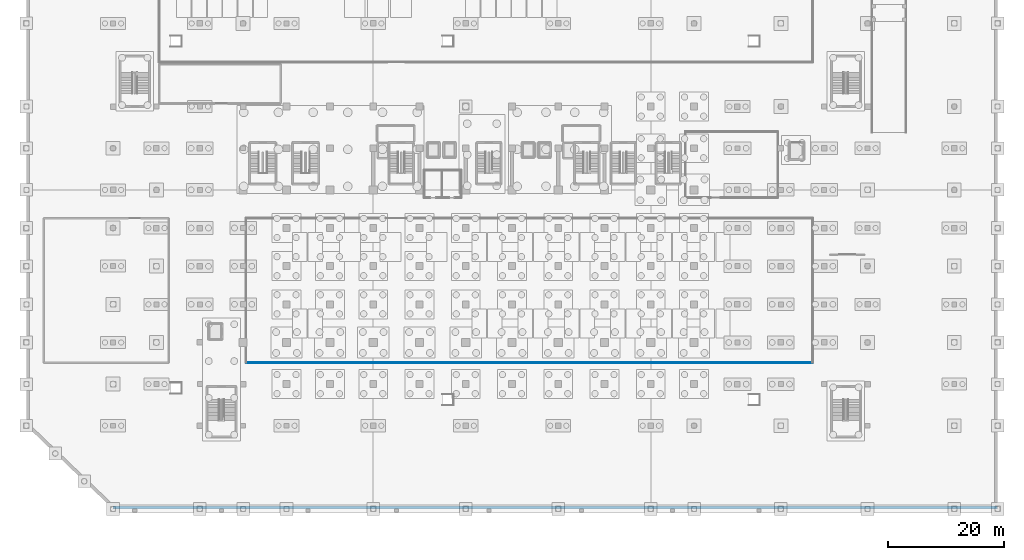
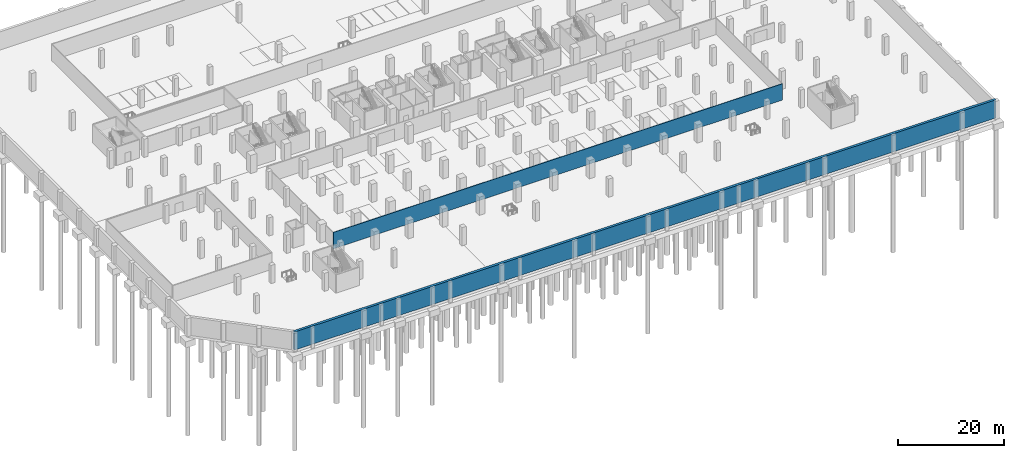
# One storey, part 8 of 26: 2 walls.
"""IFC4 building model written with IfcOpenShell, lengths in metres."""

from ifc_helpers import new_model, si_unit, direction, frame, frame_2d, origin, place, context, subcontext, project, spatial, rectangle, extrude, material, layer, layer_set, type_object, element, save


model = new_model("IFC4")

# Units and contexts
model_context = context("Model", 3, precision=1e-05, world=origin(), true_north=direction((0.0, 1.0)))
body_context = subcontext(model_context, "Body", "Model", "MODEL_VIEW")
ifc_project = project(units=[si_unit("LENGTHUNIT", "METRE"), si_unit("AREAUNIT", "SQUARE_METRE"), si_unit("VOLUMEUNIT", "CUBIC_METRE"), si_unit("PLANEANGLEUNIT", "RADIAN"), si_unit("MASSUNIT", "GRAM", prefix="KILO")], contexts=[model_context])

# Site, building, storey
site_placement = place(None, origin())
site = spatial("IfcSite", under=ifc_project, at=site_placement, CompositionType="ELEMENT")
building_placement = place(site_placement, origin())
building = spatial("IfcBuilding", under=site, at=building_placement, Name="Akrevak Sports Hall", CompositionType="ELEMENT")
storey_placement = place(building_placement, frame((0.0, 0.0, -9.0)))
storey = spatial("IfcBuildingStorey", under=building, at=storey_placement, Name="B02", CompositionType="ELEMENT", Elevation=-9.0)

# Walls
ifc_material_1 = material(Name="Acoustic Metal Stud Partition", Category="gypsum")
ifc_layer_1 = layer(ifc_material_1, 0.1298828125, Name="Acoustic Metal Stud Partition")
ifc_layer_set_1 = layer_set([ifc_layer_1], Name="Acoustic Metal Stud Partition")
wall_type_1 = type_object("IfcWallType", Name="ARC-WL-PRT-130", PredefinedType="PARTITIONING", material=ifc_layer_set_1)
wall_1_placement = place(storey_placement, frame((38.0, 25.300048828125, 0.0), z_axis=(0.0, 0.0, 1.0), x_axis=(1.0, 0.0, 0.0)))
element("IfcWall", 1, at=wall_1_placement, inside=storey, type_object=wall_type_1, Name="Interior Partition Underground Car Park Hall South B02 (S)", PredefinedType="PARTITIONING", context=body_context, shape_type="SweptSolid", body=[
    extrude(rectangle(XDim=98.0, YDim=0.1298828125, at=frame_2d((49.0, 0.0))), origin(), (0.0, 0.0, 1.0), 3.780029296875),
])
ifc_material_2 = material(Name="Concrete C40/50", Category="concrete")
ifc_layer_2 = layer(ifc_material_2, 0.550048828125, Name="Concrete C40/50")
ifc_layer_set_2 = layer_set([ifc_layer_2], Name="Concrete C40/50")
wall_type_2 = type_object("IfcWallType", Name="STR-WL-RET-550", PredefinedType="SOLIDWALL", material=ifc_layer_set_2)
wall_2_placement = place(storey_placement, frame((15.0, 0.27490234375, 0.0), z_axis=(0.0, 0.0, 1.0), x_axis=(1.0, 0.0, 0.0)))
element("IfcWall", 2, at=wall_2_placement, inside=storey, type_object=wall_type_2, Name="Basement Retaining Wall B02-1", PredefinedType="SOLIDWALL", context=body_context, shape_type="SweptSolid", body=[
    extrude(rectangle(XDim=153.0, YDim=0.550048828125, at=frame_2d((76.5, 0.0))), origin(), (0.0, 0.0, 1.0), 4.179931640625),
])

save(model, "model.ifc")
